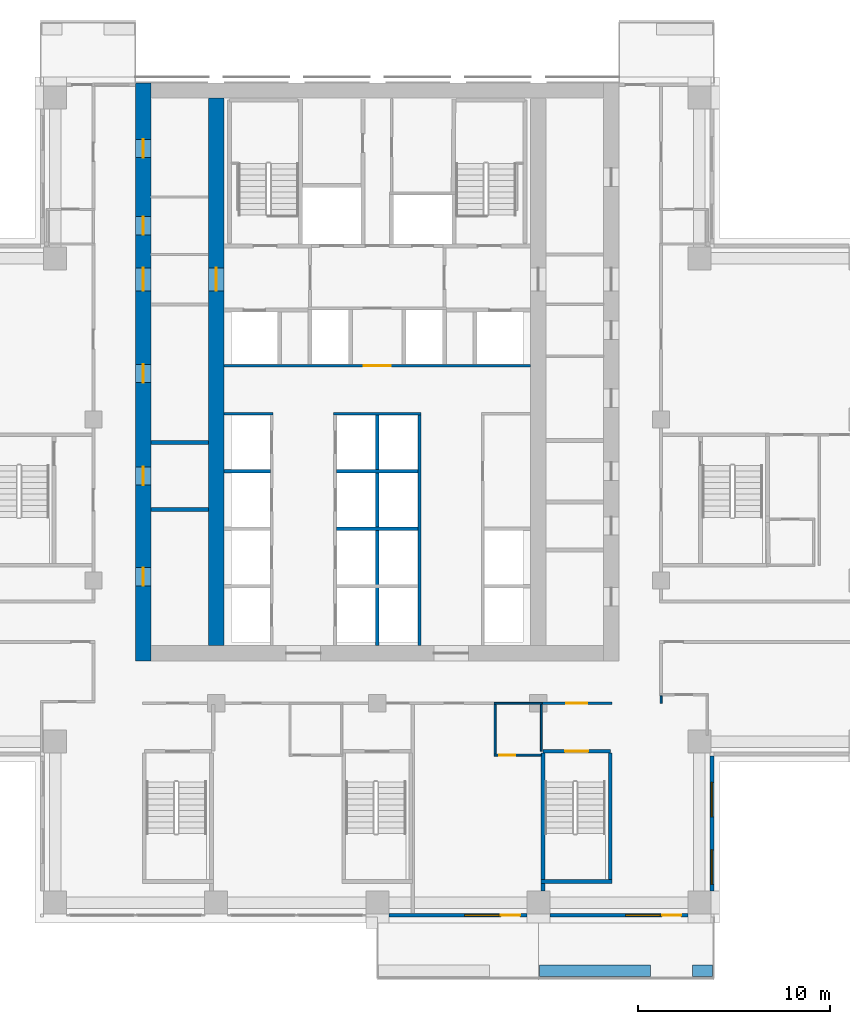
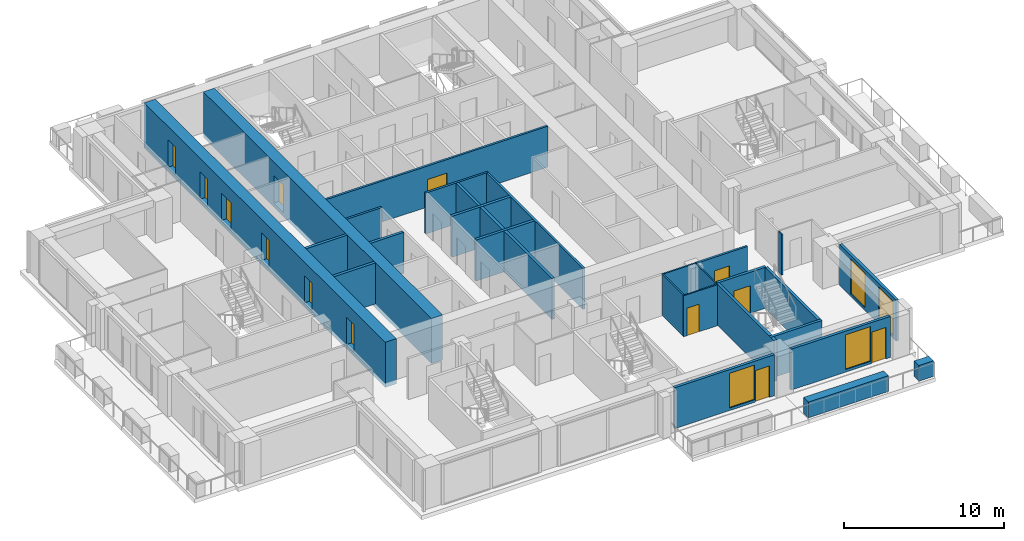
# One storey, part 10 of 18: 27 walls, 13 doors, 4 windows, 17 openings.
"""IFC4 building model written with IfcOpenShell, lengths in metres."""

from ifc_helpers import new_model, si_unit, direction, frame, frame_2d, origin, place, context, subcontext, project, spatial, rectangle, extrude, material, layer, layer_set, type_object, element, fill, save


model = new_model("IFC4")

# Units and contexts
model_context = context("Model", 3, precision=1e-05, world=origin(), true_north=direction((0.0, 1.0)))
body_context = subcontext(model_context, "Body", "Model", "MODEL_VIEW")
ifc_project = project(units=[si_unit("LENGTHUNIT", "METRE"), si_unit("AREAUNIT", "SQUARE_METRE"), si_unit("VOLUMEUNIT", "CUBIC_METRE"), si_unit("PLANEANGLEUNIT", "RADIAN"), si_unit("MASSUNIT", "GRAM", prefix="KILO")], contexts=[model_context])

# Site, building, storey
site_placement = place(None, origin())
site = spatial("IfcSite", under=ifc_project, at=site_placement, CompositionType="ELEMENT")
building_placement = place(site_placement, origin())
building = spatial("IfcBuilding", under=site, at=building_placement, Name="Vermilion Ogive Tower", CompositionType="ELEMENT")
storey_placement = place(building_placement, frame((0.0, 0.0, 108.0)))
storey = spatial("IfcBuildingStorey", under=building, at=storey_placement, Name="L27", CompositionType="ELEMENT", Elevation=108.0)

# Wall, openings, doors
ifc_material_1 = material(Name="Concrete B80", Category="concrete")
ifc_layer_1 = layer(ifc_material_1, 0.800048828125)
ifc_layer_set_1 = layer_set([ifc_layer_1], Name="Core wall 800 B80")
wall_type_1 = type_object("IfcWallType", Name="Core wall 800 B80", PredefinedType="SHEAR", material=ifc_layer_set_1)
wall_1_placement = place(storey_placement, frame((-12.199951171875, -8.39990234375, -0.320068359375), z_axis=(0.0, 0.0, 1.0), x_axis=(0.0, 1.0, 0.0)))
wall_1 = element("IfcWall", 1, at=wall_1_placement, inside=storey, type_object=wall_type_1, Name="L27-CORE-W", PredefinedType="SHEAR", context=body_context, shape_type="SweptSolid", body=[
    extrude(rectangle(XDim=30.14990234375, YDim=0.800048828125, at=frame_2d((15.074951171875, 0.0))), origin(), (0.0, 0.0, 1.0), 3.449951171875),
])
opening_1_placement = place(wall_1_placement, frame((3.925048828125, 0.0, 0.320068359375)))
opening_1 = element("IfcOpeningElement", 2, at=opening_1_placement, cuts=wall_1, Name="Opening DAD051", PredefinedType="OPENING", context=body_context, shape_type="SweptSolid", body=[
    extrude(rectangle(XDim=0.949951171875, YDim=2.10009765625, at=frame_2d((0.47509765625, 1.050048828125))), frame((0.0, 0.409912109375, 0.0), z_axis=(0.0, -1.0, 0.0), x_axis=(1.0, 0.0, 0.0)), (0.0, 0.0, 1.0), 0.820068359375),
])
opening_2_placement = place(wall_1_placement, frame((9.175048828125, 0.0, 0.320068359375)))
opening_2 = element("IfcOpeningElement", 3, at=opening_2_placement, cuts=wall_1, Name="Opening DAD052", PredefinedType="OPENING", context=body_context, shape_type="SweptSolid", body=[
    extrude(rectangle(XDim=0.949951171875, YDim=2.10009765625, at=frame_2d((0.47509765625, 1.050048828125))), frame((0.0, 0.409912109375, 0.0), z_axis=(0.0, -1.0, 0.0), x_axis=(1.0, 0.0, 0.0)), (0.0, 0.0, 1.0), 0.820068359375),
])
opening_3_placement = place(wall_1_placement, frame((14.52490234375, 0.0, 0.320068359375)))
opening_3 = element("IfcOpeningElement", 4, at=opening_3_placement, cuts=wall_1, Name="Opening DAD053", PredefinedType="OPENING", context=body_context, shape_type="SweptSolid", body=[
    extrude(rectangle(XDim=0.949951171875, YDim=2.10009765625, at=frame_2d((0.47509765625, 1.050048828125))), frame((0.0, 0.409912109375, 0.0), z_axis=(0.0, -1.0, 0.0), x_axis=(1.0, 0.0, 0.0)), (0.0, 0.0, 1.0), 0.820068359375),
])
opening_4_placement = place(wall_1_placement, frame((22.22509765625, 0.0, 0.320068359375)))
opening_4 = element("IfcOpeningElement", 5, at=opening_4_placement, cuts=wall_1, Name="Opening DAD054", PredefinedType="OPENING", context=body_context, shape_type="SweptSolid", body=[
    extrude(rectangle(XDim=0.949951171875, YDim=2.10009765625, at=frame_2d((0.47509765625, 1.050048828125))), frame((0.0, 0.409912109375, 0.0), z_axis=(0.0, -1.0, 0.0), x_axis=(1.0, 0.0, 0.0)), (0.0, 0.0, 1.0), 0.820068359375),
])
opening_5_placement = place(wall_1_placement, frame((26.25, 0.0, 0.320068359375)))
opening_5 = element("IfcOpeningElement", 6, at=opening_5_placement, cuts=wall_1, Name="Opening DAD055", PredefinedType="OPENING", context=body_context, shape_type="SweptSolid", body=[
    extrude(rectangle(XDim=0.949951171875, YDim=2.10009765625, at=frame_2d((0.47509765625, 1.050048828125))), frame((0.0, 0.409912109375, 0.0), z_axis=(0.0, -1.0, 0.0), x_axis=(1.0, 0.0, 0.0)), (0.0, 0.0, 1.0), 0.820068359375),
])
opening_6_placement = place(wall_1_placement, frame((19.300048828125, 0.0, 0.320068359375)))
opening_6 = element("IfcOpeningElement", 7, at=opening_6_placement, cuts=wall_1, Name="Opening DAM010", PredefinedType="OPENING", context=body_context, shape_type="SweptSolid", body=[
    extrude(rectangle(XDim=1.199951171875, YDim=2.10009765625, at=frame_2d((0.60009765625, 1.050048828125))), frame((0.0, 0.409912109375, 0.0), z_axis=(0.0, -1.0, 0.0), x_axis=(1.0, 0.0, 0.0)), (0.0, 0.0, 1.0), 0.820068359375),
])
ifc_material_2 = material(Name="Timber door leaf", Category="wood")
door_type_1 = type_object("IfcDoorType", Name="Link door 1200 x 2100 FD60S", OperationType="SINGLE_SWING_LEFT", PredefinedType="DOOR", material=ifc_material_2)
door_1_placement = place(opening_6_placement, origin())
door_1 = element("IfcDoor", 8, at=door_1_placement, inside=storey, type_object=door_type_1, Name="L27-CKW-XL", OperationType="SINGLE_SWING_LEFT", OverallHeight=2.10009765625, OverallWidth=1.199951171875, PredefinedType="DOOR", context=body_context, shape_type="SweptSolid", body=[
    extrude(rectangle(XDim=1.199951171875, YDim=2.10009765625, at=frame_2d((0.60009765625, 1.050048828125))), frame((0.0, 0.02490234375, 0.0), z_axis=(0.0, -1.0, 0.0), x_axis=(1.0, 0.0, 0.0)), (0.0, 0.0, 1.0), 0.050048828125),
])
fill(opening_6, door_1)
ifc_material_3 = material(Name="Timber door leaf", Category="wood")
door_type_2 = type_object("IfcDoorType", Name="Service door 950 x 2100 FD60", OperationType="SINGLE_SWING_LEFT", PredefinedType="DOOR", material=ifc_material_3)
door_2_placement = place(opening_1_placement, origin())
door_2 = element("IfcDoor", 9, at=door_2_placement, inside=storey, type_object=door_type_2, Name="L27-CKW-XR0", OperationType="SINGLE_SWING_LEFT", OverallHeight=2.10009765625, OverallWidth=0.949951171875, PredefinedType="DOOR", context=body_context, shape_type="SweptSolid", body=[
    extrude(rectangle(XDim=0.949951171875, YDim=2.10009765625, at=frame_2d((0.47509765625, 1.050048828125))), frame((0.0, 0.02490234375, 0.0), z_axis=(0.0, -1.0, 0.0), x_axis=(1.0, 0.0, 0.0)), (0.0, 0.0, 1.0), 0.050048828125),
])
fill(opening_1, door_2)
door_3_placement = place(opening_2_placement, origin())
door_3 = element("IfcDoor", 10, at=door_3_placement, inside=storey, type_object=door_type_2, Name="L27-CKW-XR1", OperationType="SINGLE_SWING_LEFT", OverallHeight=2.10009765625, OverallWidth=0.949951171875, PredefinedType="DOOR", context=body_context, shape_type="SweptSolid", body=[
    extrude(rectangle(XDim=0.949951171875, YDim=2.10009765625, at=frame_2d((0.47509765625, 1.050048828125))), frame((0.0, 0.02490234375, 0.0), z_axis=(0.0, -1.0, 0.0), x_axis=(1.0, 0.0, 0.0)), (0.0, 0.0, 1.0), 0.050048828125),
])
fill(opening_2, door_3)
door_4_placement = place(opening_3_placement, origin())
door_4 = element("IfcDoor", 11, at=door_4_placement, inside=storey, type_object=door_type_2, Name="L27-CKW-XR2", OperationType="SINGLE_SWING_LEFT", OverallHeight=2.10009765625, OverallWidth=0.949951171875, PredefinedType="DOOR", context=body_context, shape_type="SweptSolid", body=[
    extrude(rectangle(XDim=0.949951171875, YDim=2.10009765625, at=frame_2d((0.47509765625, 1.050048828125))), frame((0.0, 0.02490234375, 0.0), z_axis=(0.0, -1.0, 0.0), x_axis=(1.0, 0.0, 0.0)), (0.0, 0.0, 1.0), 0.050048828125),
])
fill(opening_3, door_4)
door_5_placement = place(opening_4_placement, origin())
door_5 = element("IfcDoor", 12, at=door_5_placement, inside=storey, type_object=door_type_2, Name="L27-CKW-XR3", OperationType="SINGLE_SWING_LEFT", OverallHeight=2.10009765625, OverallWidth=0.949951171875, PredefinedType="DOOR", context=body_context, shape_type="SweptSolid", body=[
    extrude(rectangle(XDim=0.949951171875, YDim=2.10009765625, at=frame_2d((0.47509765625, 1.050048828125))), frame((0.0, 0.02490234375, 0.0), z_axis=(0.0, -1.0, 0.0), x_axis=(1.0, 0.0, 0.0)), (0.0, 0.0, 1.0), 0.050048828125),
])
fill(opening_4, door_5)
door_6_placement = place(opening_5_placement, origin())
door_6 = element("IfcDoor", 13, at=door_6_placement, inside=storey, type_object=door_type_2, Name="L27-CKW-XR4", OperationType="SINGLE_SWING_LEFT", OverallHeight=2.10009765625, OverallWidth=0.949951171875, PredefinedType="DOOR", context=body_context, shape_type="SweptSolid", body=[
    extrude(rectangle(XDim=0.949951171875, YDim=2.10009765625, at=frame_2d((0.47509765625, 1.050048828125))), frame((0.0, 0.02490234375, 0.0), z_axis=(0.0, -1.0, 0.0), x_axis=(1.0, 0.0, 0.0)), (0.0, 0.0, 1.0), 0.050048828125),
])
fill(opening_5, door_6)

# Wall, opening, door
wall_2_placement = place(storey_placement, frame((-8.39990234375, -7.60009765625, -0.320068359375), z_axis=(0.0, 0.0, 1.0), x_axis=(0.0, 1.0, 0.0)))
wall_2 = element("IfcWall", 14, at=wall_2_placement, inside=storey, type_object=wall_type_1, Name="L27-CORE-WEB1", PredefinedType="SHEAR", context=body_context, shape_type="SweptSolid", body=[
    extrude(rectangle(XDim=28.550048828125, YDim=0.800048828125, at=frame_2d((14.27490234375, 0.0))), origin(), (0.0, 0.0, 1.0), 3.449951171875),
])
opening_7_placement = place(wall_2_placement, frame((18.5, 0.0, 0.320068359375)))
opening_7 = element("IfcOpeningElement", 15, at=opening_7_placement, cuts=wall_2, Name="Opening DAP010", PredefinedType="OPENING", context=body_context, shape_type="SweptSolid", body=[
    extrude(rectangle(XDim=1.199951171875, YDim=2.10009765625, at=frame_2d((0.60009765625, 1.050048828125))), frame((0.0, 0.409912109375, 0.0), z_axis=(0.0, -1.0, 0.0), x_axis=(1.0, 0.0, 0.0)), (0.0, 0.0, 1.0), 0.820068359375),
])
door_7_placement = place(opening_7_placement, origin())
door_7 = element("IfcDoor", 16, at=door_7_placement, inside=storey, type_object=door_type_1, Name="L27-CKW-XW", OperationType="SINGLE_SWING_LEFT", OverallHeight=2.10009765625, OverallWidth=1.199951171875, PredefinedType="DOOR", context=body_context, shape_type="SweptSolid", body=[
    extrude(rectangle(XDim=1.199951171875, YDim=2.10009765625, at=frame_2d((0.60009765625, 1.050048828125))), frame((0.0, 0.02490234375, 0.0), z_axis=(0.0, -1.0, 0.0), x_axis=(1.0, 0.0, 0.0)), (0.0, 0.0, 1.0), 0.050048828125),
])
fill(opening_7, door_7)

ifc_material_4 = material(Name="Gypsum board partition on steel studs", Category="steel")
ifc_layer_2 = layer(ifc_material_4, 0.10009765625)
ifc_layer_set_2 = layer_set([ifc_layer_2], Name="Partition 100 bath")
wall_type_2 = type_object("IfcWallType", Name="Partition 100 bath", PredefinedType="PARTITIONING", material=ifc_layer_set_2)
wall_3_placement = place(storey_placement, frame((6.10009765625, -13.300048828125, 0.0), z_axis=(0.0, 0.0, 1.0), x_axis=(1.0, 0.0, 0.0)))
wall_3 = element("IfcWall", 17, at=wall_3_placement, inside=storey, type_object=wall_type_2, Name="L27-W-W003", PredefinedType="PARTITIONING", context=body_context, shape_type="SweptSolid", body=[
    extrude(rectangle(XDim=2.449951171875, YDim=0.10009765625, at=frame_2d((1.22509765625, 0.0))), origin(), (0.0, 0.0, 1.0), 3.1298828125),
])
opening_8_placement = place(wall_3_placement, frame((0.25, 0.0, 0.0)))
opening_8 = element("IfcOpeningElement", 18, at=opening_8_placement, cuts=wall_3, Name="Opening D2G4012", PredefinedType="OPENING", context=body_context, shape_type="SweptSolid", body=[
    extrude(rectangle(XDim=0.85009765625, YDim=2.10009765625, at=frame_2d((0.425048828125, 1.050048828125))), frame((0.0, 0.06005859375, 0.0), z_axis=(0.0, -1.0, 0.0), x_axis=(1.0, 0.0, 0.0)), (0.0, 0.0, 1.0), 0.1201171875),
])
ifc_material_5 = material(Name="Timber door leaf", Category="wood")
door_type_3 = type_object("IfcDoorType", Name="Bath door 850 x 2100 FD30", OperationType="SINGLE_SWING_LEFT", PredefinedType="DOOR", material=ifc_material_5)
door_8_placement = place(opening_8_placement, origin())
door_8 = element("IfcDoor", 19, at=door_8_placement, inside=storey, type_object=door_type_3, Name="L27-D-D012", OperationType="SINGLE_SWING_LEFT", OverallHeight=2.10009765625, OverallWidth=0.85009765625, PredefinedType="DOOR", context=body_context, shape_type="SweptSolid", body=[
    extrude(rectangle(XDim=0.85009765625, YDim=2.10009765625, at=frame_2d((0.425048828125, 1.050048828125))), frame((0.0, 0.02490234375, 0.0), z_axis=(0.0, -1.0, 0.0), x_axis=(1.0, 0.0, 0.0)), (0.0, 0.0, 1.0), 0.050048828125),
])
fill(opening_8, door_8)

# Walls
wall_4_placement = place(storey_placement, frame((6.10009765625, -10.60009765625, 0.0), z_axis=(0.0, 0.0, 1.0), x_axis=(1.0, 0.0, 0.0)))
element("IfcWall", 20, at=wall_4_placement, inside=storey, type_object=wall_type_2, Name="L27-W-W010", PredefinedType="PARTITIONING", context=body_context, shape_type="SweptSolid", body=[
    extrude(rectangle(XDim=2.5, YDim=0.10009765625, at=frame_2d((1.25, 0.0))), origin(), (0.0, 0.0, 1.0), 3.1298828125),
])
wall_5_placement = place(storey_placement, frame((6.14990234375, -13.25, 0.0), z_axis=(0.0, 0.0, 1.0), x_axis=(0.0, 1.0, 0.0)))
element("IfcWall", 21, at=wall_5_placement, inside=storey, type_object=wall_type_2, Name="L27-W-W051", PredefinedType="PARTITIONING", context=body_context, shape_type="SweptSolid", body=[
    extrude(rectangle(XDim=2.574951171875, YDim=0.10009765625, at=frame_2d((1.28759765625, 0.0))), origin(), (0.0, 0.0, 1.0), 3.1298828125),
])
wall_6_placement = place(storey_placement, frame((8.550048828125, -13.10009765625, 0.0), z_axis=(0.0, 0.0, 1.0), x_axis=(0.0, 1.0, 0.0)))
element("IfcWall", 22, at=wall_6_placement, inside=storey, type_object=wall_type_2, Name="L27-W-W052", PredefinedType="PARTITIONING", context=body_context, shape_type="SweptSolid", body=[
    extrude(rectangle(XDim=2.425048828125, YDim=0.10009765625, at=frame_2d((1.21240234375, 0.0))), origin(), (0.0, 0.0, 1.0), 3.1298828125),
])
wall_7_placement = place(storey_placement, frame((14.800048828125, -10.60009765625, 0.0), z_axis=(0.0, 0.0, 1.0), x_axis=(0.0, 1.0, 0.0)))
element("IfcWall", 23, at=wall_7_placement, inside=storey, type_object=wall_type_2, Name="L27-W-W053", PredefinedType="PARTITIONING", context=body_context, shape_type="SweptSolid", body=[
    extrude(rectangle(XDim=0.39013671875, YDim=0.10009765625, at=frame_2d((0.195068359375, 0.0))), origin(), (0.0, 0.0, 1.0), 3.1298828125),
])

# Wall, opening, door
ifc_material_6 = material(Name="Gypsum board partition on steel studs", Category="steel")
ifc_layer_3 = layer(ifc_material_6, 0.14990234375)
ifc_layer_set_3 = layer_set([ifc_layer_3], Name="Partition 150 corridor")
wall_type_3 = type_object("IfcWallType", Name="Partition 150 corridor", PredefinedType="PARTITIONING", material=ifc_layer_set_3)
wall_8_placement = place(storey_placement, frame((8.5, -10.60009765625, 0.0), z_axis=(0.0, 0.0, 1.0), x_axis=(1.0, 0.0, 0.0)))
wall_8 = element("IfcWall", 24, at=wall_8_placement, inside=storey, type_object=wall_type_3, Name="L27-W-W011", PredefinedType="PARTITIONING", context=body_context, shape_type="SweptSolid", body=[
    extrude(rectangle(XDim=3.75, YDim=0.14990234375, at=frame_2d((1.875, 0.0))), origin(), (0.0, 0.0, 1.0), 3.1298828125),
])
opening_9_placement = place(wall_8_placement, frame((1.35009765625, 0.0, 0.0)))
opening_9 = element("IfcOpeningElement", 25, at=opening_9_placement, cuts=wall_8, Name="Opening D2G4025", PredefinedType="OPENING", context=body_context, shape_type="SweptSolid", body=[
    extrude(rectangle(XDim=1.10009765625, YDim=2.10009765625, at=frame_2d((0.550048828125, 1.050048828125))), frame((0.0, 0.0849609375, 0.0), z_axis=(0.0, -1.0, 0.0), x_axis=(1.0, 0.0, 0.0)), (0.0, 0.0, 1.0), 0.169921875),
])
ifc_material_7 = material(Name="Timber door leaf", Category="wood")
door_type_4 = type_object("IfcDoorType", Name="Stair door 1100 x 2100 FD60S", OperationType="SINGLE_SWING_LEFT", PredefinedType="DOOR", material=ifc_material_7)
door_9_placement = place(opening_9_placement, origin())
door_9 = element("IfcDoor", 26, at=door_9_placement, inside=storey, type_object=door_type_4, Name="L27-D-D025", OperationType="SINGLE_SWING_RIGHT", OverallHeight=2.10009765625, OverallWidth=1.10009765625, PredefinedType="DOOR", context=body_context, shape_type="SweptSolid", body=[
    extrude(rectangle(XDim=1.10009765625, YDim=2.10009765625, at=frame_2d((0.550048828125, 1.050048828125))), frame((0.0, 0.02490234375, 0.0), z_axis=(0.0, -1.0, 0.0), x_axis=(1.0, 0.0, 0.0)), (0.0, 0.0, 1.0), 0.050048828125),
])
fill(opening_9, door_9)

# Walls
wall_9_placement = place(storey_placement, frame((-7.9990234375, 4.5, 0.0), z_axis=(0.0, 0.0, 1.0), x_axis=(1.0, 0.0, 0.0)))
element("IfcWall", 27, at=wall_9_placement, inside=storey, type_object=wall_type_3, Name="L27-CK-W-W009", PredefinedType="PARTITIONING", context=body_context, shape_type="SweptSolid", body=[
    extrude(rectangle(XDim=2.573974609375, YDim=0.14990234375, at=frame_2d((1.287109375, 0.0))), origin(), (0.0, 0.0, 1.0), 3.1298828125),
])
wall_10_placement = place(storey_placement, frame((-2.27490234375, 4.5, 0.0), z_axis=(0.0, 0.0, 1.0), x_axis=(1.0, 0.0, 0.0)))
element("IfcWall", 28, at=wall_10_placement, inside=storey, type_object=wall_type_3, Name="L27-CK-W-W010", PredefinedType="PARTITIONING", context=body_context, shape_type="SweptSolid", body=[
    extrude(rectangle(XDim=4.5498046875, YDim=0.14990234375, at=frame_2d((2.27490234375, 0.0))), origin(), (0.0, 0.0, 1.0), 3.1298828125),
])

# Wall, opening, door
wall_11_placement = place(storey_placement, frame((-7.9990234375, 7.0, 0.0), z_axis=(0.0, 0.0, 1.0), x_axis=(1.0, 0.0, 0.0)))
wall_11 = element("IfcWall", 29, at=wall_11_placement, inside=storey, type_object=wall_type_3, Name="L27-CK-W-W012", PredefinedType="PARTITIONING", context=body_context, shape_type="SweptSolid", body=[
    extrude(rectangle(XDim=15.998046875, YDim=0.14990234375, at=frame_2d((7.9990234375, 0.0))), origin(), (0.0, 0.0, 1.0), 3.1298828125),
])
opening_10_placement = place(wall_11_placement, frame((7.299072265625, 0.0, 0.0)))
opening_10 = element("IfcOpeningElement", 30, at=opening_10_placement, cuts=wall_11, Name="Opening DAA210", PredefinedType="OPENING", context=body_context, shape_type="SweptSolid", body=[
    extrude(rectangle(XDim=1.39990234375, YDim=2.10009765625, at=frame_2d((0.699951171875, 1.050048828125))), frame((0.0, 0.0849609375, 0.0), z_axis=(0.0, -1.0, 0.0), x_axis=(1.0, 0.0, 0.0)), (0.0, 0.0, 1.0), 0.169921875),
])
ifc_material_8 = material(Name="Timber door leaf", Category="wood")
door_type_5 = type_object("IfcDoorType", Name="Lobby door 1400 x 2100 FD60S", OperationType="SINGLE_SWING_LEFT", PredefinedType="DOOR", material=ifc_material_8)
door_10_placement = place(opening_10_placement, origin())
door_10 = element("IfcDoor", 31, at=door_10_placement, inside=storey, type_object=door_type_5, Name="L27-CK-D-D014", OperationType="SINGLE_SWING_RIGHT", OverallHeight=2.10009765625, OverallWidth=1.39990234375, PredefinedType="DOOR", context=body_context, shape_type="SweptSolid", body=[
    extrude(rectangle(XDim=1.39990234375, YDim=2.10009765625, at=frame_2d((0.699951171875, 1.050048828125))), frame((0.0, 0.02490234375, 0.0), z_axis=(0.0, -1.0, 0.0), x_axis=(1.0, 0.0, 0.0)), (0.0, 0.0, 1.0), 0.050048828125),
])
fill(opening_10, door_10)

# Walls
wall_12_placement = place(storey_placement, frame((2.199951171875, -7.59912109375, 0.0), z_axis=(0.0, 0.0, 1.0), x_axis=(0.0, 1.0, 0.0)))
element("IfcWall", 32, at=wall_12_placement, inside=storey, type_object=wall_type_3, Name="L27-CK-W-W033", PredefinedType="PARTITIONING", context=body_context, shape_type="SweptSolid", body=[
    extrude(rectangle(XDim=12.024169921875, YDim=0.14990234375, at=frame_2d((6.01220703125, 0.0))), origin(), (0.0, 0.0, 1.0), 3.1298828125),
])
ifc_material_9 = material(Name="Gypsum board partition on steel studs", Category="steel")
ifc_layer_4 = layer(ifc_material_9, 0.199951171875)
ifc_layer_set_4 = layer_set([ifc_layer_4], Name="Partition 200 party")
wall_type_4 = type_object("IfcWallType", Name="Partition 200 party", PredefinedType="PARTITIONING", material=ifc_layer_set_4)
wall_13_placement = place(storey_placement, frame((-2.125, -1.5, 0.0), z_axis=(0.0, 0.0, 1.0), x_axis=(1.0, 0.0, 0.0)))
element("IfcWall", 33, at=wall_13_placement, inside=storey, type_object=wall_type_4, Name="L27-CK-W-W005", PredefinedType="PARTITIONING", context=body_context, shape_type="SweptSolid", body=[
    extrude(rectangle(XDim=4.25, YDim=0.199951171875, at=frame_2d((2.125, 0.0))), origin(), (0.0, 0.0, 1.0), 3.1298828125),
])
wall_14_placement = place(storey_placement, frame((-7.9990234375, 1.5, 0.0), z_axis=(0.0, 0.0, 1.0), x_axis=(1.0, 0.0, 0.0)))
element("IfcWall", 34, at=wall_14_placement, inside=storey, type_object=wall_type_4, Name="L27-CK-W-W007", PredefinedType="PARTITIONING", context=body_context, shape_type="SweptSolid", body=[
    extrude(rectangle(XDim=2.424072265625, YDim=0.199951171875, at=frame_2d((1.2119140625, 0.0))), origin(), (0.0, 0.0, 1.0), 3.1298828125),
])
wall_15_placement = place(storey_placement, frame((-2.125, 1.5, 0.0), z_axis=(0.0, 0.0, 1.0), x_axis=(1.0, 0.0, 0.0)))
element("IfcWall", 35, at=wall_15_placement, inside=storey, type_object=wall_type_4, Name="L27-CK-W-W008", PredefinedType="PARTITIONING", context=body_context, shape_type="SweptSolid", body=[
    extrude(rectangle(XDim=4.25, YDim=0.199951171875, at=frame_2d((2.125, 0.0))), origin(), (0.0, 0.0, 1.0), 3.1298828125),
])
wall_16_placement = place(storey_placement, frame((0.0, -7.59912109375, 0.0), z_axis=(0.0, 0.0, 1.0), x_axis=(0.0, 1.0, 0.0)))
element("IfcWall", 36, at=wall_16_placement, inside=storey, type_object=wall_type_4, Name="L27-CK-W-W029", PredefinedType="PARTITIONING", context=body_context, shape_type="SweptSolid", body=[
    extrude(rectangle(XDim=12.024169921875, YDim=0.199951171875, at=frame_2d((6.01220703125, 0.0))), origin(), (0.0, 0.0, 1.0), 3.1298828125),
])
for number, where, z_axis, x_axis, name in (
    (37, (-11.799072265625, -0.5, 0.0), (0.0, 0.0, 1.0), (1.0, 0.0, 0.0), "L27-CKW-W-W001"),
    (38, (-11.799072265625, 3.0, 0.0), (0.0, 0.0, 1.0), (1.0, 0.0, 0.0), "L27-CKW-W-W002"),
):
    element("IfcWall", number, at=place(storey_placement, frame(where, z_axis=z_axis, x_axis=x_axis)), inside=storey, type_object=wall_type_4, Name=name, PredefinedType="PARTITIONING", context=body_context, shape_type="SweptSolid", body=[
        extrude(rectangle(XDim=2.998046875, YDim=0.199951171875, at=frame_2d((1.4990234375, 0.0))), origin(), (0.0, 0.0, 1.0), 3.1298828125),
    ])

# Wall, opening, door
ifc_material_10 = material(Name="Concrete B60", Category="concrete")
ifc_layer_5 = layer(ifc_material_10, 0.199951171875)
ifc_layer_set_5 = layer_set([ifc_layer_5], Name="Stair shaft wall 200 Concrete B60")
wall_type_5 = type_object("IfcWallType", Name="Stair shaft wall 200 Concrete B60", PredefinedType="SOLIDWALL", material=ifc_layer_set_5)
wall_17_placement = place(storey_placement, frame((8.64990234375, -13.10009765625, 0.0), z_axis=(0.0, 0.0, 1.0), x_axis=(1.0, 0.0, 0.0)))
wall_17 = element("IfcWall", 39, at=wall_17_placement, inside=storey, type_object=wall_type_5, Name="L27-W-W006", PredefinedType="SOLIDWALL", context=body_context, shape_type="SweptSolid", body=[
    extrude(rectangle(XDim=3.5, YDim=0.199951171875, at=frame_2d((1.75, 0.0))), origin(), (0.0, 0.0, 1.0), 3.1298828125),
])
opening_11_placement = place(wall_17_placement, frame((1.150146484375, 0.0, 0.0)))
opening_11 = element("IfcOpeningElement", 40, at=opening_11_placement, cuts=wall_17, Name="Opening D2G4026", PredefinedType="OPENING", context=body_context, shape_type="SweptSolid", body=[
    extrude(rectangle(XDim=1.199951171875, YDim=2.10009765625, at=frame_2d((0.60009765625, 1.050048828125))), frame((0.0, 0.10986328125, 0.0), z_axis=(0.0, -1.0, 0.0), x_axis=(1.0, 0.0, 0.0)), (0.0, 0.0, 1.0), 0.219970703125),
])
ifc_material_11 = material(Name="Timber door leaf", Category="wood")
door_type_6 = type_object("IfcDoorType", Name="Stair door 1200 x 2100 FD60S", OperationType="SINGLE_SWING_LEFT", PredefinedType="DOOR", material=ifc_material_11)
door_11_placement = place(opening_11_placement, origin())
door_11 = element("IfcDoor", 41, at=door_11_placement, inside=storey, type_object=door_type_6, Name="L27-D-D026", OperationType="SINGLE_SWING_RIGHT", OverallHeight=2.10009765625, OverallWidth=1.199951171875, PredefinedType="DOOR", context=body_context, shape_type="SweptSolid", body=[
    extrude(rectangle(XDim=1.199951171875, YDim=2.10009765625, at=frame_2d((0.60009765625, 1.050048828125))), frame((0.0, 0.02490234375, 0.0), z_axis=(0.0, -1.0, 0.0), x_axis=(1.0, 0.0, 0.0)), (0.0, 0.0, 1.0), 0.050048828125),
])
fill(opening_11, door_11)

# Walls
wall_18_placement = place(storey_placement, frame((8.550048828125, -19.89990234375, 0.0), z_axis=(0.0, 0.0, 1.0), x_axis=(1.0, 0.0, 0.0)))
element("IfcWall", 42, at=wall_18_placement, inside=storey, type_object=wall_type_5, Name="L27-SW-ST5-S1", PredefinedType="SOLIDWALL", context=body_context, shape_type="SweptSolid", body=[
    extrude(rectangle(XDim=3.699951171875, YDim=0.199951171875, at=frame_2d((1.85009765625, 0.0))), origin(), (0.0, 0.0, 1.0), 3.1298828125),
])
wall_19_placement = place(storey_placement, frame((12.14990234375, -19.800048828125, 0.0), z_axis=(0.0, 0.0, 1.0), x_axis=(0.0, 1.0, 0.0)))
element("IfcWall", 43, at=wall_19_placement, inside=storey, type_object=wall_type_5, Name="L27-SW-ST5-E1", PredefinedType="SOLIDWALL", context=body_context, shape_type="SweptSolid", body=[
    extrude(rectangle(XDim=6.60009765625, YDim=0.199951171875, at=frame_2d((3.300048828125, 0.0))), origin(), (0.0, 0.0, 1.0), 3.1298828125),
])
wall_20_placement = place(storey_placement, frame((8.64990234375, -20.39990234375, 0.0), z_axis=(0.0, 0.0, 1.0), x_axis=(0.0, 1.0, 0.0)))
element("IfcWall", 44, at=wall_20_placement, inside=storey, type_object=wall_type_5, Name="L27-SW-ST5-W1-A", PredefinedType="SOLIDWALL", context=body_context, shape_type="SweptSolid", body=[
    extrude(rectangle(XDim=7.197998046875, YDim=0.199951171875, at=frame_2d((3.59912109375, 0.0))), origin(), (0.0, 0.0, 1.0), 3.1298828125),
])
ifc_material_12 = material(Name="Concrete B40", Category="concrete")
ifc_layer_6 = layer(ifc_material_12, 0.60009765625)
ifc_layer_set_6 = layer_set([ifc_layer_6], Name="Structural planter")
wall_type_6 = type_object("IfcWallType", Name="Structural planter", PredefinedType="USERDEFINED", material=ifc_layer_set_6)
wall_21_placement = place(storey_placement, frame((8.4599609375, -24.550048828125, -0.0400390625), z_axis=(0.0, 0.0, 1.0), x_axis=(1.0, 0.0, 0.0)))
element("IfcWall", 45, at=wall_21_placement, inside=storey, type_object=wall_type_6, Name="Planter S04A1", ObjectType="PLANTER", PredefinedType="USERDEFINED", context=body_context, shape_type="SweptSolid", body=[
    extrude(rectangle(XDim=5.7900390625, YDim=0.60009765625, at=frame_2d((2.89501953125, 0.0))), origin(), (0.0, 0.0, 1.0), 1.199951171875),
])
wall_22_placement = place(storey_placement, frame((16.449951171875, -24.550048828125, -0.0400390625), z_axis=(0.0, 0.0, 1.0), x_axis=(1.0, 0.0, 0.0)))
element("IfcWall", 46, at=wall_22_placement, inside=storey, type_object=wall_type_6, Name="Planter S04A2", ObjectType="PLANTER", PredefinedType="USERDEFINED", context=body_context, shape_type="SweptSolid", body=[
    extrude(rectangle(XDim=1.0400390625, YDim=0.60009765625, at=frame_2d((0.52001953125, 0.0))), origin(), (0.0, 0.0, 1.0), 1.199951171875),
])

# Wall, openings, door, window
ifc_material_13 = material(Name="Aluminium window wall framing", Category="aluminium")
ifc_layer_7 = layer(ifc_material_13, 0.199951171875)
ifc_layer_set_7 = layer_set([ifc_layer_7], Name="Window wall")
wall_type_7 = type_object("IfcWallType", Name="Window wall", PredefinedType="STANDARD", material=ifc_layer_set_7)
wall_23_placement = place(storey_placement, frame((0.60009765625, -21.64990234375, 0.0), z_axis=(0.0, 0.0, 1.0), x_axis=(1.0, 0.0, 0.0)))
wall_23 = element("IfcWall", 47, at=wall_23_placement, inside=storey, type_object=wall_type_7, Name="Window wall S3", PredefinedType="STANDARD", context=body_context, shape_type="SweptSolid", body=[
    extrude(rectangle(XDim=7.199951171875, YDim=0.199951171875, at=frame_2d((3.60009765625, 0.0))), origin(), (0.0, 0.0, 1.0), 3.1298828125),
])
opening_12_placement = place(wall_23_placement, frame((3.949951171875, 0.0, 0.199951171875)))
opening_12 = element("IfcOpeningElement", 48, at=opening_12_placement, cuts=wall_23, Name="Opening W1-S01", PredefinedType="OPENING", context=body_context, shape_type="SweptSolid", body=[
    extrude(rectangle(XDim=1.800048828125, YDim=2.64990234375, at=frame_2d((0.89990234375, 1.324951171875))), frame((0.0, 0.10986328125, 0.0), z_axis=(0.0, -1.0, 0.0), x_axis=(1.0, 0.0, 0.0)), (0.0, 0.0, 1.0), 0.219970703125),
])
opening_13_placement = place(wall_23_placement, frame((5.85009765625, 0.0, 0.0)))
opening_13 = element("IfcOpeningElement", 49, at=opening_13_placement, cuts=wall_23, Name="Opening D1-S01", PredefinedType="OPENING", context=body_context, shape_type="SweptSolid", body=[
    extrude(rectangle(XDim=1.0, YDim=2.39990234375, at=frame_2d((0.5, 1.199951171875))), frame((0.0, 0.10986328125, 0.0), z_axis=(0.0, -1.0, 0.0), x_axis=(1.0, 0.0, 0.0)), (0.0, 0.0, 1.0), 0.219970703125),
])
ifc_material_14 = material(Name="Aluminium framed glazed door", Category="aluminium")
door_type_7 = type_object("IfcDoorType", Name="Balcony door D1", OperationType="SINGLE_SWING_LEFT", PredefinedType="DOOR", material=ifc_material_14)
door_12_placement = place(opening_13_placement, origin())
door_12 = element("IfcDoor", 50, at=door_12_placement, inside=storey, type_object=door_type_7, Name="Balcony door S01", OperationType="SINGLE_SWING_LEFT", OverallHeight=2.39990234375, OverallWidth=1.0, PredefinedType="DOOR", context=body_context, shape_type="SweptSolid", body=[
    extrude(rectangle(XDim=1.0, YDim=2.39990234375, at=frame_2d((0.5, 1.199951171875))), frame((0.0, 0.02490234375, 0.0), z_axis=(0.0, -1.0, 0.0), x_axis=(1.0, 0.0, 0.0)), (0.0, 0.0, 1.0), 0.050048828125),
])
fill(opening_13, door_12)
ifc_material_15 = material(Name="Aluminium framed double glazing", Category="aluminium")
window_type = type_object("IfcWindowType", Name="Guest window W1", PartitioningType="SINGLE_PANEL", PredefinedType="WINDOW", material=ifc_material_15)
window_1_placement = place(opening_12_placement, origin())
window_1 = element("IfcWindow", 51, at=window_1_placement, inside=storey, type_object=window_type, Name="Window S01", OverallHeight=2.64990234375, OverallWidth=1.800048828125, PartitioningType="SINGLE_PANEL", PredefinedType="WINDOW", context=body_context, shape_type="SweptSolid", body=[
    extrude(rectangle(XDim=1.800048828125, YDim=2.64990234375, at=frame_2d((0.89990234375, 1.324951171875))), frame((0.0, 0.030029296875, 0.0), z_axis=(0.0, -1.0, 0.0), x_axis=(1.0, 0.0, 0.0)), (0.0, 0.0, 1.0), 0.06005859375),
])
fill(opening_12, window_1)

wall_24_placement = place(storey_placement, frame((9.0, -21.64990234375, 0.0), z_axis=(0.0, 0.0, 1.0), x_axis=(1.0, 0.0, 0.0)))
wall_24 = element("IfcWall", 52, at=wall_24_placement, inside=storey, type_object=wall_type_7, Name="Window wall S4", PredefinedType="STANDARD", context=body_context, shape_type="SweptSolid", body=[
    extrude(rectangle(XDim=7.199951171875, YDim=0.199951171875, at=frame_2d((3.60009765625, 0.0))), origin(), (0.0, 0.0, 1.0), 3.1298828125),
])
opening_14_placement = place(wall_24_placement, frame((3.949951171875, 0.0, 0.199951171875)))
opening_14 = element("IfcOpeningElement", 53, at=opening_14_placement, cuts=wall_24, Name="Opening W1-S03", PredefinedType="OPENING", context=body_context, shape_type="SweptSolid", body=[
    extrude(rectangle(XDim=1.800048828125, YDim=2.64990234375, at=frame_2d((0.89990234375, 1.324951171875))), frame((0.0, 0.10986328125, 0.0), z_axis=(0.0, -1.0, 0.0), x_axis=(1.0, 0.0, 0.0)), (0.0, 0.0, 1.0), 0.219970703125),
])
opening_15_placement = place(wall_24_placement, frame((5.85009765625, 0.0, 0.0)))
opening_15 = element("IfcOpeningElement", 54, at=opening_15_placement, cuts=wall_24, Name="Opening D1-S03", PredefinedType="OPENING", context=body_context, shape_type="SweptSolid", body=[
    extrude(rectangle(XDim=1.0, YDim=2.39990234375, at=frame_2d((0.5, 1.199951171875))), frame((0.0, 0.10986328125, 0.0), z_axis=(0.0, -1.0, 0.0), x_axis=(1.0, 0.0, 0.0)), (0.0, 0.0, 1.0), 0.219970703125),
])
door_13_placement = place(opening_15_placement, origin())
door_13 = element("IfcDoor", 55, at=door_13_placement, inside=storey, type_object=door_type_7, Name="Balcony door S03", OperationType="SINGLE_SWING_LEFT", OverallHeight=2.39990234375, OverallWidth=1.0, PredefinedType="DOOR", context=body_context, shape_type="SweptSolid", body=[
    extrude(rectangle(XDim=1.0, YDim=2.39990234375, at=frame_2d((0.5, 1.199951171875))), frame((0.0, 0.02490234375, 0.0), z_axis=(0.0, -1.0, 0.0), x_axis=(1.0, 0.0, 0.0)), (0.0, 0.0, 1.0), 0.050048828125),
])
fill(opening_15, door_13)
window_2_placement = place(opening_14_placement, origin())
window_2 = element("IfcWindow", 56, at=window_2_placement, inside=storey, type_object=window_type, Name="Window S03", OverallHeight=2.64990234375, OverallWidth=1.800048828125, PartitioningType="SINGLE_PANEL", PredefinedType="WINDOW", context=body_context, shape_type="SweptSolid", body=[
    extrude(rectangle(XDim=1.800048828125, YDim=2.64990234375, at=frame_2d((0.89990234375, 1.324951171875))), frame((0.0, 0.030029296875, 0.0), z_axis=(0.0, -1.0, 0.0), x_axis=(1.0, 0.0, 0.0)), (0.0, 0.0, 1.0), 0.06005859375),
])
fill(opening_14, window_2)

# Wall, openings, windows
wall_25_placement = place(storey_placement, frame((17.449951171875, -20.39990234375, 0.0), z_axis=(0.0, 0.0, 1.0), x_axis=(0.0, 1.0, 0.0)))
wall_25 = element("IfcWall", 57, at=wall_25_placement, inside=storey, type_object=wall_type_7, Name="Window wall X11", PredefinedType="STANDARD", context=body_context, shape_type="SweptSolid", body=[
    extrude(rectangle(XDim=7.0498046875, YDim=0.199951171875, at=frame_2d((3.52490234375, 0.0))), origin(), (0.0, 0.0, 1.0), 3.1298828125),
])
opening_16_placement = place(wall_25_placement, frame((0.35009765625, 0.0, 0.199951171875)))
opening_16 = element("IfcOpeningElement", 58, at=opening_16_placement, cuts=wall_25, Name="Opening W1-X195", PredefinedType="OPENING", context=body_context, shape_type="SweptSolid", body=[
    extrude(rectangle(XDim=1.800048828125, YDim=2.64990234375, at=frame_2d((0.89990234375, 1.324951171875))), frame((0.0, 0.10986328125, 0.0), z_axis=(0.0, -1.0, 0.0), x_axis=(1.0, 0.0, 0.0)), (0.0, 0.0, 1.0), 0.219970703125),
])
opening_17_placement = place(wall_25_placement, frame((3.875, 0.0, 0.199951171875)))
opening_17 = element("IfcOpeningElement", 59, at=opening_17_placement, cuts=wall_25, Name="Opening W1-X196", PredefinedType="OPENING", context=body_context, shape_type="SweptSolid", body=[
    extrude(rectangle(XDim=1.800048828125, YDim=2.64990234375, at=frame_2d((0.89990234375, 1.324951171875))), frame((0.0, 0.10986328125, 0.0), z_axis=(0.0, -1.0, 0.0), x_axis=(1.0, 0.0, 0.0)), (0.0, 0.0, 1.0), 0.219970703125),
])
window_3_placement = place(opening_16_placement, origin())
window_3 = element("IfcWindow", 60, at=window_3_placement, inside=storey, type_object=window_type, Name="Window X195", OverallHeight=2.64990234375, OverallWidth=1.800048828125, PartitioningType="SINGLE_PANEL", PredefinedType="WINDOW", context=body_context, shape_type="SweptSolid", body=[
    extrude(rectangle(XDim=1.800048828125, YDim=2.64990234375, at=frame_2d((0.89990234375, 1.324951171875))), frame((0.0, 0.030029296875, 0.0), z_axis=(0.0, -1.0, 0.0), x_axis=(1.0, 0.0, 0.0)), (0.0, 0.0, 1.0), 0.06005859375),
])
fill(opening_16, window_3)
window_4_placement = place(opening_17_placement, origin())
window_4 = element("IfcWindow", 61, at=window_4_placement, inside=storey, type_object=window_type, Name="Window X196", OverallHeight=2.64990234375, OverallWidth=1.800048828125, PartitioningType="SINGLE_PANEL", PredefinedType="WINDOW", context=body_context, shape_type="SweptSolid", body=[
    extrude(rectangle(XDim=1.800048828125, YDim=2.64990234375, at=frame_2d((0.89990234375, 1.324951171875))), frame((0.0, 0.030029296875, 0.0), z_axis=(0.0, -1.0, 0.0), x_axis=(1.0, 0.0, 0.0)), (0.0, 0.0, 1.0), 0.06005859375),
])
fill(opening_17, window_4)

save(model, "model.ifc")
